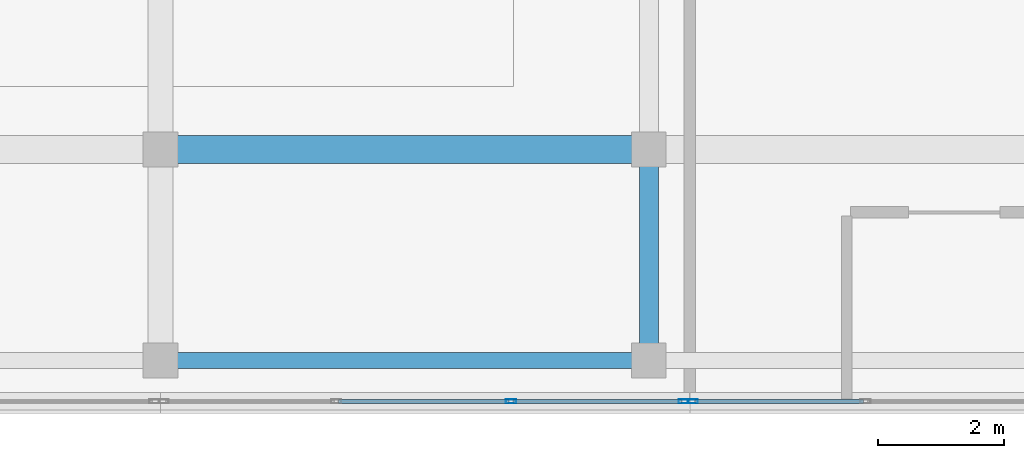
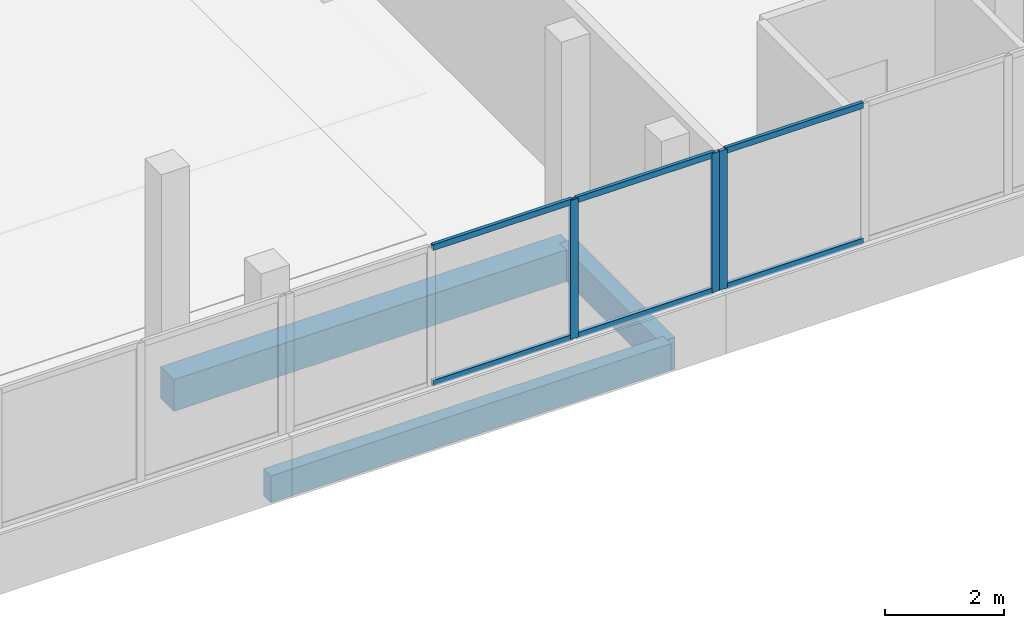
# One storey, part 31 of 66: 9 members, 3 beams, 2 elements without a shape of their own.
"""IFC4 building model written with IfcOpenShell, lengths in metres."""

import ifcopenshell
import ifcopenshell.guid

model = None  # the IFC model being written
_history = None  # IfcOwnerHistory: only IFC2X3 demands one
_inside = {}  # id of a spatial element -> (the spatial element, [elements in it])
_under = {}  # id of a project, library or spatial element -> (it, [spatial elements below it])
_declared = {}  # id of a project -> (the project, [libraries it declares])
_typed = {}  # id of a type object -> (the type object, [elements of that type])
_made_of = {}  # id of a material, layer set ... -> (it, [elements and type objects made of it])


def new_model(schema):
    """Start an empty IFC model of exactly this schema.

    Asked for "IFC4X3", IfcOpenShell would pick the latest addendum, in which some entities
    have other attributes; the version numbers below select the first issue.
    IFC2X3 requires an IfcOwnerHistory on every rooted entity: one is made here for all.
    """
    global model, _history
    if schema == "IFC4X3":
        model = ifcopenshell.file(schema_version=(4, 3, 0, 0))
    else:
        model = ifcopenshell.file(schema=schema)
    _inside.clear()
    _under.clear()
    _declared.clear()
    _typed.clear()
    _made_of.clear()
    _history = None
    if model.schema == "IFC2X3":
        org = make("IfcOrganization", Name="unknown")
        user = make(
            "IfcPersonAndOrganization",
            ThePerson=make("IfcPerson", FamilyName="unknown"),
            TheOrganization=org,
        )
        app = make(
            "IfcApplication",
            ApplicationDeveloper=org,
            Version="unknown",
            ApplicationFullName="unknown",
            ApplicationIdentifier="unknown",
        )
        _history = make(
            "IfcOwnerHistory",
            OwningUser=user,
            OwningApplication=app,
            ChangeAction="ADDED",
            CreationDate=0,
        )
    return model


def make(cls, **values):
    """One entity of the class cls with the attributes given. An attribute that is None is left unset."""
    return model.create_entity(
        cls, **{name: value for name, value in values.items() if value is not None}
    )


def rooted(cls, **values):
    """An entity with a GlobalId (a new one), such as an element, a storey or a relation."""
    return make(cls, GlobalId=ifcopenshell.guid.new(), OwnerHistory=_history, **values)


def si_unit(unit_type, name, prefix=None):
    """IfcSIUnit, for example si_unit("LENGTHUNIT", "METRE", prefix="MILLI")."""
    return make("IfcSIUnit", UnitType=unit_type, Prefix=prefix, Name=name)


def assignment(units):
    """IfcUnitAssignment: the units of a project."""
    return None if units is None else make("IfcUnitAssignment", Units=units)


def point(xyz):
    """IfcCartesianPoint."""
    return None if xyz is None else make("IfcCartesianPoint", Coordinates=xyz)


def direction(xyz):
    """IfcDirection."""
    return None if xyz is None else make("IfcDirection", DirectionRatios=xyz)


def frame(location, z_axis=None, x_axis=None):
    """IfcAxis2Placement3D, a coordinate frame: its origin and axes. An axis left out is left unset."""
    return make(
        "IfcAxis2Placement3D",
        Location=point(location),
        Axis=direction(z_axis),
        RefDirection=direction(x_axis),
    )


def frame_2d(location, x_axis=None):
    """IfcAxis2Placement2D, a coordinate frame in the plane: its origin and x axis."""
    return make(
        "IfcAxis2Placement2D", Location=point(location), RefDirection=direction(x_axis)
    )


def origin():
    """The frame at (0, 0, 0) with its axes left unset."""
    return frame((0.0, 0.0, 0.0))


def origin_2d():
    """The frame at (0, 0) in the plane with its x axis left unset."""
    return frame_2d((0.0, 0.0))


def place(relative_to, where):
    """IfcLocalPlacement: puts the frame where relative to a parent placement (None: the world)."""
    return make(
        "IfcLocalPlacement", PlacementRelTo=relative_to, RelativePlacement=where
    )


def context(
    kind, dimensions, precision=None, world=None, true_north=None, identifier=None
):
    """IfcGeometricRepresentationContext, for example the 3D "Model" context."""
    return make(
        "IfcGeometricRepresentationContext",
        ContextIdentifier=identifier,
        ContextType=kind,
        CoordinateSpaceDimension=dimensions,
        Precision=precision,
        WorldCoordinateSystem=world,
        TrueNorth=true_north,
    )


def subcontext(parent, identifier, kind, view, scale=None):
    """IfcGeometricRepresentationSubContext, for example "Body" below "Model"."""
    return make(
        "IfcGeometricRepresentationSubContext",
        ContextIdentifier=identifier,
        ContextType=kind,
        ParentContext=parent,
        TargetScale=scale,
        TargetView=view,
    )


def project(units=None, contexts=None):
    """IfcProject with its units and contexts."""
    return rooted(
        "IfcProject",
        Name="project",
        RepresentationContexts=contexts,
        UnitsInContext=assignment(units),
    )


def spatial(cls, under=None, at=None, **own):
    """A site, building, storey or space (cls), placed at a placement, below another one or the project."""
    s = rooted(cls, ObjectPlacement=at, **own)
    if under is not None:
        _under.setdefault(under.id(), (under, []))[1].append(s)
    return s


def profile(cls, at=None, kind="AREA", **sizes):
    """A parametric profile (cls). Its sizes go by their IFC names, for example OverallWidth=200.0."""
    return make(cls, ProfileType=kind, Position=at, **sizes)


def rectangle(**sizes):
    """IfcRectangleProfileDef."""
    return profile("IfcRectangleProfileDef", **sizes)


def hollow_rectangle(**sizes):
    """IfcRectangleHollowProfileDef."""
    return profile("IfcRectangleHollowProfileDef", **sizes)


def extrude(swept, where, along, depth):
    """IfcExtrudedAreaSolid: the profile swept, set in the frame where, extruded along a direction by depth."""
    return make(
        "IfcExtrudedAreaSolid",
        SweptArea=swept,
        Position=where,
        ExtrudedDirection=direction(along),
        Depth=depth,
    )


def shape(context_of_items, identifier, shape_type, items):
    """IfcShapeRepresentation: the items that make up one representation, for example the "Body"."""
    return make(
        "IfcShapeRepresentation",
        ContextOfItems=context_of_items,
        RepresentationIdentifier=identifier,
        RepresentationType=shape_type,
        Items=items,
    )


def material(Name=None, Category=None):
    """IfcMaterial."""
    return make("IfcMaterial", Name=Name, Category=Category)


def material_profile(
    of_material, cross_section, Name=None, Category=None, Priority=None
):
    """IfcMaterialProfile: a cross section and its material."""
    return make(
        "IfcMaterialProfile",
        Name=Name,
        Material=of_material,
        Profile=cross_section,
        Priority=Priority,
        Category=Category,
    )


def profile_set(profiles, Name=None, composite=None):
    """IfcMaterialProfileSet."""
    return make(
        "IfcMaterialProfileSet",
        Name=Name,
        MaterialProfiles=profiles,
        CompositeProfile=composite,
    )


def made_of(thing, what):
    """Note that an element or type object is made of a material, layer set ...; save() writes the relation."""
    if what is not None:
        _made_of.setdefault(what.id(), (what, []))[1].append(thing)
    return thing


def type_object(cls, material=None, **own):
    """A type object (cls), such as IfcWallType, which elements share."""
    return made_of(rooted(cls, **own), material)


def element(
    cls,
    number,
    at=None,
    inside=None,
    cuts=None,
    type_object=None,
    material=None,
    context=None,
    identifier="Body",
    shape_type=None,
    held_by="IfcProductDefinitionShape",
    body=None,
    shapes=None,
    **own,
):
    """One element of the class cls, such as IfcWall. Its Tag is "e" and its number.

    at: its placement. inside: the storey or other place that contains it. cuts: it is an
    opening in that element (IfcRelVoidsElement). A single representation is given by context,
    identifier, shape_type and body (its items); several are given by shapes. held_by: the class
    of the entity that holds the representations. save() writes the other relations.
    """
    e = rooted(cls, Tag="e%d" % number, ObjectPlacement=at, **own)
    if body is not None:
        shapes = [shape(context, identifier, shape_type, body)]
    if shapes is not None:
        e.Representation = make(held_by, Representations=shapes)
    if inside is not None:
        _inside.setdefault(inside.id(), (inside, []))[1].append(e)
    if cuts is not None:
        rooted(
            "IfcRelVoidsElement", RelatingBuildingElement=cuts, RelatedOpeningElement=e
        )
    if type_object is not None:
        _typed.setdefault(type_object.id(), (type_object, []))[1].append(e)
    return made_of(e, material)


def aggregate(whole, parts):
    """IfcRelAggregates: a whole, such as a stair, and the parts it consists of."""
    return rooted("IfcRelAggregates", RelatingObject=whole, RelatedObjects=parts)


def save(model, path):
    """Write the relations noted so far, then the file.

    IfcRelAggregates (storeys below a building ...), IfcRelContainedInSpatialStructure (elements
    in a storey), IfcRelDefinesByType, IfcRelAssociatesMaterial and IfcRelDeclares: one each for
    every whole, place, type object, material and project.
    """
    for whole, parts in _under.values():
        aggregate(whole, parts)
    for where, things in _inside.values():
        rooted(
            "IfcRelContainedInSpatialStructure",
            RelatedElements=things,
            RelatingStructure=where,
        )
    for kind, things in _typed.values():
        rooted("IfcRelDefinesByType", RelatedObjects=things, RelatingType=kind)
    for what, things in _made_of.values():
        rooted("IfcRelAssociatesMaterial", RelatedObjects=things, RelatingMaterial=what)
    for by, libraries in _declared.values():
        rooted("IfcRelDeclares", RelatingContext=by, RelatedDefinitions=libraries)
    model.write(path)


model = new_model("IFC4")

# Units and contexts
model_context = context("Model", 3, precision=1e-05, world=origin(), true_north=direction((0.0, 1.0)))
body_context = subcontext(model_context, "Body", "Model", "MODEL_VIEW")
ifc_project = project(units=[si_unit("LENGTHUNIT", "METRE"), si_unit("AREAUNIT", "SQUARE_METRE"), si_unit("VOLUMEUNIT", "CUBIC_METRE"), si_unit("PLANEANGLEUNIT", "RADIAN"), si_unit("MASSUNIT", "GRAM", prefix="KILO")], contexts=[model_context])

# Site, building, storey
site_placement = place(None, origin())
site = spatial("IfcSite", under=ifc_project, at=site_placement, CompositionType="ELEMENT")
building_placement = place(site_placement, origin())
building = spatial("IfcBuilding", under=site, at=building_placement, Name="Selatvlak General Hospital", CompositionType="ELEMENT")
storey_placement = place(building_placement, frame((0.0, 0.0, 31.35009765625)))
storey = spatial("IfcBuildingStorey", under=building, at=storey_placement, Name="L07", CompositionType="ELEMENT", Elevation=31.35009765625)

# Beams
ifc_material_1 = material(Name="Concrete C40/50", Category="concrete")
ifc_material_profile_1 = material_profile(ifc_material_1, rectangle(XDim=0.449951171875, YDim=0.64990234375, at=origin_2d()), Name="RC-BM 450x650")
ifc_profile_set_1 = profile_set([ifc_material_profile_1], Name="Concrete C40/50")
beam_type_1 = type_object("IfcBeamType", Name="BM-G04", PredefinedType="BEAM", material=ifc_profile_set_1)
beam_1_placement = place(storey_placement, frame((140.39990234375, 92.0, -0.59521484375), z_axis=(1.0, 0.0, 0.0), x_axis=(0.0, 1.0, 0.0)))
element("IfcBeam", 1, at=beam_1_placement, inside=storey, type_object=beam_type_1, Name="Beam BMR-L07-2395", PredefinedType="BEAM", context=body_context, shape_type="SweptSolid", body=[
    extrude(rectangle(XDim=0.449951171875, YDim=0.64990234375, at=origin_2d()), origin(), (0.0, 0.0, 1.0), 7.75),
])
ifc_material_profile_2 = material_profile(ifc_material_1, rectangle(XDim=0.300048828125, YDim=0.64990234375, at=origin_2d()), Name="RC-SP 300x650")
ifc_profile_set_2 = profile_set([ifc_material_profile_2], Name="Concrete C40/50")
beam_type_2 = type_object("IfcBeamType", Name="BM-SP1", PredefinedType="SPANDREL", material=ifc_profile_set_2)
beam_2_placement = place(storey_placement, frame((148.14990234375, 88.64990234375, -0.59521484375), z_axis=(0.0, 1.0, 0.0), x_axis=(-1.0, 0.0, 0.0)))
element("IfcBeam", 2, at=beam_2_placement, inside=storey, type_object=beam_type_2, Name="Beam BMR-L07-2528", PredefinedType="SPANDREL", context=body_context, shape_type="SweptSolid", body=[
    extrude(rectangle(XDim=0.300048828125, YDim=0.64990234375, at=origin_2d()), origin(), (0.0, 0.0, 1.0), 3.35009765625),
])
ifc_material_profile_3 = material_profile(ifc_material_1, rectangle(XDim=0.25, YDim=0.550048828125, at=origin_2d()), Name="RC-SP 250x550")
ifc_profile_set_3 = profile_set([ifc_material_profile_3], Name="Concrete C40/50")
beam_type_3 = type_object("IfcBeamType", Name="BM-SP2", PredefinedType="SPANDREL", material=ifc_profile_set_3)
beam_3_placement = place(storey_placement, frame((140.39990234375, 88.64990234375, -0.545166015625), z_axis=(1.0, 0.0, 0.0), x_axis=(0.0, 1.0, 0.0)))
element("IfcBeam", 3, at=beam_3_placement, inside=storey, type_object=beam_type_3, Name="Beam BMR-L07-2376", PredefinedType="SPANDREL", context=body_context, shape_type="SweptSolid", body=[
    extrude(rectangle(XDim=0.25, YDim=0.550048828125, at=origin_2d()), origin(), (0.0, 0.0, 1.0), 7.75),
])

# Curtain wall, member
ifc_material_2 = material(Name="Solar-control Low-E double glazing", Category="glass")
curtain_wall_type_1 = type_object("IfcCurtainWallType", Name="CW-CW-02", PredefinedType="USERDEFINED", material=ifc_material_2)
curtain_wall_1_placement = place(storey_placement, origin())
curtain_wall_1 = element("IfcCurtainWall", 4, at=curtain_wall_1_placement, inside=storey, type_object=curtain_wall_type_1, Name="Glazed facade curtain wall CW-L07-0664", ObjectType="UNITISED CURTAIN WALL", PredefinedType="USERDEFINED")
ifc_material_3 = material(Name="Dark anodised aluminium mullion", Category="aluminium")
ifc_material_profile_4 = material_profile(ifc_material_3, hollow_rectangle(XDim=0.06494140625, YDim=0.159912109375, WallThickness=0.00390625, at=origin_2d()), Name="AL-MUL 65x160x4")
ifc_profile_set_4 = profile_set([ifc_material_profile_4], Name="Dark anodised aluminium mullion")
member_type_1 = type_object("IfcMemberType", Name="CWM-01", PredefinedType="MULLION", material=ifc_profile_set_4)
member_1_placement = place(storey_placement, frame((148.847412109375, 88.0009765625, 0.93994140625), z_axis=(0.0, 0.0, 1.0), x_axis=(0.0, -1.0, 0.0)))
member_1 = element("IfcMember", 5, at=member_1_placement, type_object=member_type_1, Name="CW-02 mullion 4", PredefinedType="MULLION", context=body_context, shape_type="SweptSolid", body=[
    extrude(hollow_rectangle(XDim=0.06494140625, YDim=0.159912109375, WallThickness=0.00390625, at=origin_2d()), origin(), (0.0, 0.0, 1.0), 2.844970703125),
])

# Curtain wall, members
curtain_wall_type_2 = type_object("IfcCurtainWallType", Name="CW-CW-01", PredefinedType="USERDEFINED", material=ifc_material_2)
curtain_wall_2_placement = place(storey_placement, origin())
curtain_wall_2 = element("IfcCurtainWall", 6, at=curtain_wall_2_placement, inside=storey, type_object=curtain_wall_type_2, Name="Glazed facade curtain wall CW-L07-0665", ObjectType="UNITISED CURTAIN WALL", PredefinedType="USERDEFINED")
member_2_placement = place(storey_placement, frame((148.702392578125, 88.0009765625, 0.93994140625), z_axis=(0.0, 0.0, 1.0), x_axis=(0.0, -1.0, 0.0)))
member_2 = element("IfcMember", 7, at=member_2_placement, type_object=member_type_1, Name="CW-01 mullion 1", PredefinedType="MULLION", context=body_context, shape_type="SweptSolid", body=[
    extrude(hollow_rectangle(XDim=0.06494140625, YDim=0.159912109375, WallThickness=0.00390625, at=origin_2d()), origin(), (0.0, 0.0, 1.0), 2.844970703125),
])
member_3_placement = place(storey_placement, frame((145.961669921875, 88.0009765625, 0.93994140625), z_axis=(0.0, 0.0, 1.0), x_axis=(0.0, -1.0, 0.0)))
member_3 = element("IfcMember", 8, at=member_3_placement, type_object=member_type_1, Name="CW-01 mullion 2", PredefinedType="MULLION", context=body_context, shape_type="SweptSolid", body=[
    extrude(hollow_rectangle(XDim=0.06494140625, YDim=0.159912109375, WallThickness=0.00390625, at=origin_2d()), origin(), (0.0, 0.0, 1.0), 2.844970703125),
])

# Member
ifc_material_profile_5 = material_profile(ifc_material_3, hollow_rectangle(XDim=0.06494140625, YDim=0.1201171875, WallThickness=0.00390625, at=origin_2d()), Name="AL-TRN 65x120x4")
ifc_profile_set_5 = profile_set([ifc_material_profile_5], Name="Dark anodised aluminium mullion")
member_type_2 = type_object("IfcMemberType", Name="CWT-01", PredefinedType="USERDEFINED", material=ifc_profile_set_5)
member_4_placement = place(storey_placement, frame((151.555908203125, 88.0009765625, 0.972412109375), z_axis=(-1.0, 0.0, 0.0), x_axis=(0.0, -1.0, 0.0)))
member_4 = element("IfcMember", 9, at=member_4_placement, type_object=member_type_2, Name="CW-02 transom 3.1", ObjectType="TRANSOM", PredefinedType="USERDEFINED", context=body_context, shape_type="SweptSolid", body=[
    extrude(hollow_rectangle(XDim=0.06494140625, YDim=0.1201171875, WallThickness=0.00390625, at=origin_2d()), origin(), (0.0, 0.0, 1.0), 2.676025390625),
])

member_5_placement = place(storey_placement, frame((151.555908203125, 88.0009765625, 3.75244140625), z_axis=(-1.0, 0.0, 0.0), x_axis=(0.0, -1.0, 0.0)))
member_5 = element("IfcMember", 10, at=member_5_placement, type_object=member_type_2, Name="CW-02 transom 3.2", ObjectType="TRANSOM", PredefinedType="USERDEFINED", context=body_context, shape_type="SweptSolid", body=[
    extrude(hollow_rectangle(XDim=0.06494140625, YDim=0.1201171875, WallThickness=0.00390625, at=origin_2d()), origin(), (0.0, 0.0, 1.0), 2.676025390625),
])

aggregate(curtain_wall_1, [member_1, member_4, member_5])

member_6_placement = place(storey_placement, frame((148.669921875, 88.0009765625, 0.972412109375), z_axis=(-1.0, 0.0, 0.0), x_axis=(0.0, -1.0, 0.0)))
member_6 = element("IfcMember", 11, at=member_6_placement, type_object=member_type_2, Name="CW-01 transom 1.1", ObjectType="TRANSOM", PredefinedType="USERDEFINED", context=body_context, shape_type="SweptSolid", body=[
    extrude(hollow_rectangle(XDim=0.06494140625, YDim=0.1201171875, WallThickness=0.00390625, at=origin_2d()), origin(), (0.0, 0.0, 1.0), 2.67578125),
])

member_7_placement = place(storey_placement, frame((148.669921875, 88.0009765625, 3.75244140625), z_axis=(-1.0, 0.0, 0.0), x_axis=(0.0, -1.0, 0.0)))
member_7 = element("IfcMember", 12, at=member_7_placement, type_object=member_type_2, Name="CW-01 transom 1.2", ObjectType="TRANSOM", PredefinedType="USERDEFINED", context=body_context, shape_type="SweptSolid", body=[
    extrude(hollow_rectangle(XDim=0.06494140625, YDim=0.1201171875, WallThickness=0.00390625, at=origin_2d()), origin(), (0.0, 0.0, 1.0), 2.67578125),
])

member_8_placement = place(storey_placement, frame((145.92919921875, 88.0009765625, 0.972412109375), z_axis=(-1.0, 0.0, 0.0), x_axis=(0.0, -1.0, 0.0)))
member_8 = element("IfcMember", 13, at=member_8_placement, type_object=member_type_2, Name="CW-01 transom 2.1", ObjectType="TRANSOM", PredefinedType="USERDEFINED", context=body_context, shape_type="SweptSolid", body=[
    extrude(hollow_rectangle(XDim=0.06494140625, YDim=0.1201171875, WallThickness=0.00390625, at=origin_2d()), origin(), (0.0, 0.0, 1.0), 2.708251953125),
])

member_9_placement = place(storey_placement, frame((145.92919921875, 88.0009765625, 3.75244140625), z_axis=(-1.0, 0.0, 0.0), x_axis=(0.0, -1.0, 0.0)))
member_9 = element("IfcMember", 14, at=member_9_placement, type_object=member_type_2, Name="CW-01 transom 2.2", ObjectType="TRANSOM", PredefinedType="USERDEFINED", context=body_context, shape_type="SweptSolid", body=[
    extrude(hollow_rectangle(XDim=0.06494140625, YDim=0.1201171875, WallThickness=0.00390625, at=origin_2d()), origin(), (0.0, 0.0, 1.0), 2.708251953125),
])

aggregate(curtain_wall_2, [member_2, member_3, member_6, member_7, member_8, member_9])

save(model, "model.ifc")
